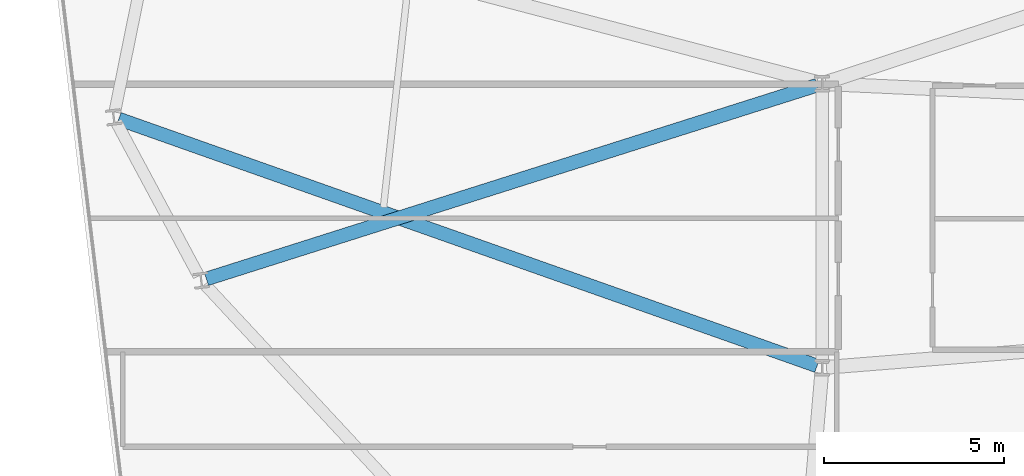
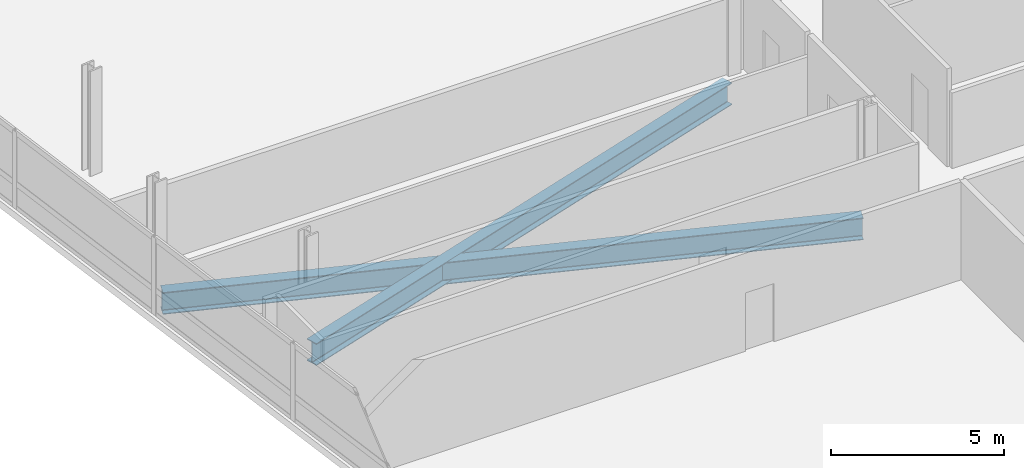
# One storey, part 5 of 22: 2 beams.
"""IFC4 building model written with IfcOpenShell, lengths in metres."""

from ifc_helpers import new_model, si_unit, direction, frame, origin, origin_2d, place, context, subcontext, project, spatial, i_section, extrude, material, material_profile, profile_set, type_object, element, save


model = new_model("IFC4")

# Units and contexts
model_context = context("Model", 3, precision=1e-05, world=origin(), true_north=direction((0.0, 1.0)))
body_context = subcontext(model_context, "Body", "Model", "MODEL_VIEW")
ifc_project = project(units=[si_unit("LENGTHUNIT", "METRE"), si_unit("AREAUNIT", "SQUARE_METRE"), si_unit("VOLUMEUNIT", "CUBIC_METRE"), si_unit("PLANEANGLEUNIT", "RADIAN"), si_unit("MASSUNIT", "GRAM", prefix="KILO")], contexts=[model_context])

# Site, building, storey
site_placement = place(None, origin())
site = spatial("IfcSite", under=ifc_project, at=site_placement, CompositionType="ELEMENT")
building_placement = place(site_placement, origin())
building = spatial("IfcBuilding", under=site, at=building_placement, Name="Varnelok Gate Tower", CompositionType="ELEMENT")
storey_placement = place(building_placement, frame((0.0, 0.0, 178.300048828125)))
storey = spatial("IfcBuildingStorey", under=building, at=storey_placement, Name="L45", CompositionType="ELEMENT", Elevation=178.300048828125)

# Beams
ifc_material = material(Name="Structural Steel ASTM A992 Grade 50", Category="steel")
ifc_material_profile = material_profile(ifc_material, i_section(OverallWidth=0.381103515625, OverallDepth=0.77294921875, WebThickness=0.0166015625, FlangeThickness=0.027099609375, FilletRadius=0.02197265625, at=origin_2d()), Name="W30X173")
ifc_profile_set = profile_set([ifc_material_profile], Name="Structural Steel ASTM A992 Grade 50")
beam_type = type_object("IfcBeamType", Name="BM-PRI-W30X173", PredefinedType="BEAM", material=ifc_profile_set)
beam_1_placement = place(storey_placement, frame((24.258544921875, 18.85009765625, -0.636474609375), z_axis=(-0.942837769657, 0.333252066923, 0.0), x_axis=(-0.333252066923, -0.942837769657, 0.0)))
element("IfcBeam", 1, at=beam_1_placement, inside=storey, type_object=beam_type, Name="L45 Radial Floor Girder 15", PredefinedType="BEAM", context=body_context, shape_type="SweptSolid", body=[
    extrude(i_section(OverallWidth=0.381103515625, OverallDepth=0.77294921875, WebThickness=0.0166015625, FlangeThickness=0.027099609375, FilletRadius=0.02197265625, at=origin_2d()), origin(), (0.0, 0.0, 1.0), 20.5458984375),
])
beam_2_placement = place(storey_placement, frame((24.257080078125, 26.634521484375, -0.636474609375), z_axis=(-0.953202154823, -0.302333676657, 0.0), x_axis=(0.302333676657, -0.953202154823, 0.0)))
element("IfcBeam", 2, at=beam_2_placement, inside=storey, type_object=beam_type, Name="L45 Radial Floor Girder 16", PredefinedType="BEAM", context=body_context, shape_type="SweptSolid", body=[
    extrude(i_section(OverallWidth=0.381103515625, OverallDepth=0.77294921875, WebThickness=0.0166015625, FlangeThickness=0.027099609375, FilletRadius=0.02197265625, at=origin_2d()), origin(), (0.0, 0.0, 1.0), 17.77099609375),
])

save(model, "model.ifc")
